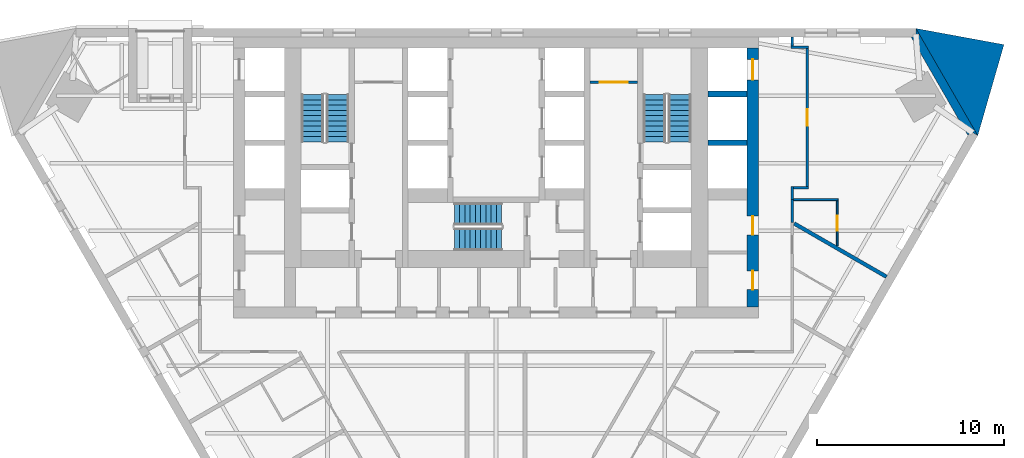
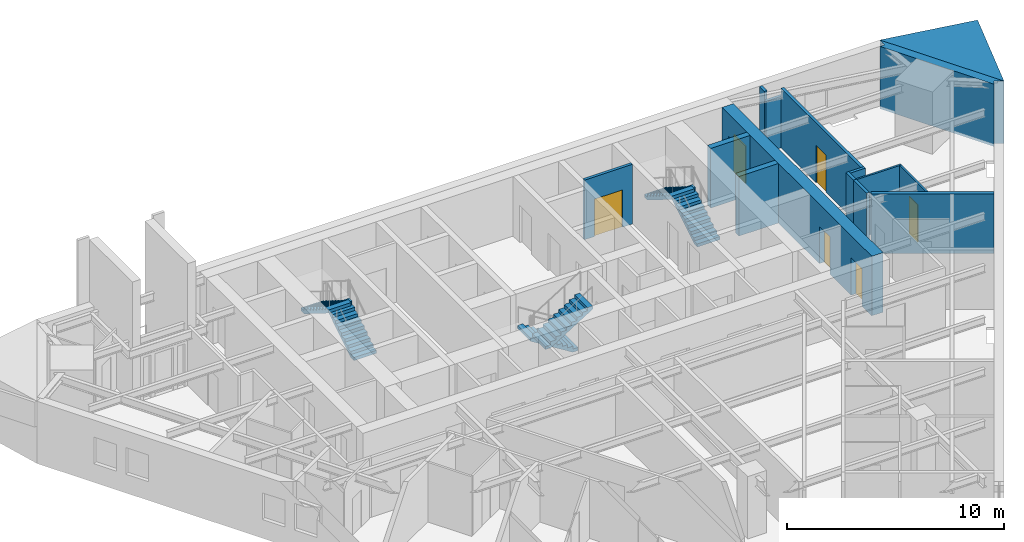
# One storey, part 8 of 10: 15 walls, 6 doors, 6 stair flights, 6 openings, 3 elements without a shape of their own.
"""IFC4 building model written with IfcOpenShell, lengths in metres."""

from ifc_helpers import new_model, si_unit, direction, frame, frame_2d, origin, place, context, subcontext, project, spatial, polyline, rectangle, outline, extrude, material, layer, layer_set, type_object, element, fill, aggregate, save


model = new_model("IFC4")

# Units and contexts
model_context = context("Model", 3, precision=1e-05, world=origin(), true_north=direction((0.0, 1.0)))
body_context = subcontext(model_context, "Body", "Model", "MODEL_VIEW")
ifc_project = project(units=[si_unit("LENGTHUNIT", "METRE"), si_unit("AREAUNIT", "SQUARE_METRE"), si_unit("VOLUMEUNIT", "CUBIC_METRE"), si_unit("PLANEANGLEUNIT", "RADIAN"), si_unit("MASSUNIT", "GRAM", prefix="KILO")], contexts=[model_context])

# Site, building, storey
site_placement = place(None, origin())
site = spatial("IfcSite", under=ifc_project, at=site_placement, CompositionType="ELEMENT")
building_placement = place(site_placement, origin())
building = spatial("IfcBuilding", under=site, at=building_placement, Name="Aloe Facet Convention Tower", CompositionType="ELEMENT")
storey_placement = place(building_placement, frame((0.0, 0.0, 45.5)))
storey = spatial("IfcBuildingStorey", under=building, at=storey_placement, Name="L09", CompositionType="ELEMENT", Elevation=45.5)

# Wall, opening, door
ifc_material_1 = material(Name="Concrete blockwork partition", Category="masonry")
ifc_layer_1 = layer(ifc_material_1, 0.14990234375)
ifc_layer_set_1 = layer_set([ifc_layer_1], Name="CR-W-PART150")
wall_type_1 = type_object("IfcWallType", Name="CR-W-PART150", PredefinedType="PARTITIONING", material=ifc_layer_set_1)
wall_1_placement = place(storey_placement, frame((85.0, 132.125, 0.0), z_axis=(0.0, 0.0, 1.0), x_axis=(1.0, 0.0, 0.0)))
wall_1 = element("IfcWall", 1, at=wall_1_placement, inside=storey, type_object=wall_type_1, Name="Core partition L09-038", PredefinedType="PARTITIONING", context=body_context, shape_type="SweptSolid", body=[
    extrude(rectangle(XDim=2.550048828125, YDim=0.14990234375, at=frame_2d((1.27490234375, 0.0))), origin(), (0.0, 0.0, 1.0), 3.35009765625),
])
opening_1_placement = place(wall_1_placement, frame((0.52490234375, 0.0, 0.0)))
opening_1 = element("IfcOpeningElement", 2, at=opening_1_placement, cuts=wall_1, Name="Opening L09-CD20", PredefinedType="OPENING", context=body_context, shape_type="SweptSolid", body=[
    extrude(rectangle(XDim=1.5, YDim=2.10009765625, at=frame_2d((0.75, 1.050048828125))), frame((0.0, 0.0849609375, 0.0), z_axis=(0.0, -1.0, 0.0), x_axis=(1.0, 0.0, 0.0)), (0.0, 0.0, 1.0), 0.169921875),
])
ifc_material_2 = material(Name="Steel fire-resisting door set FD60", Category="steel")
door_type_1 = type_object("IfcDoorType", Name="CR-D-REFUGE-1500-FD60-DD", OperationType="DOUBLE_DOOR_DOUBLE_SWING", PredefinedType="DOOR", material=ifc_material_2)
door_1_placement = place(opening_1_placement, origin())
door_1 = element("IfcDoor", 3, at=door_1_placement, inside=storey, type_object=door_type_1, Name="Core door L09-CD20", OperationType="DOUBLE_DOOR_DOUBLE_SWING", OverallHeight=2.10009765625, OverallWidth=1.5, PredefinedType="DOOR", context=body_context, shape_type="SweptSolid", body=[
    extrude(rectangle(XDim=1.5, YDim=2.10009765625, at=frame_2d((0.75, 1.050048828125))), frame((0.0, 0.02490234375, 0.0), z_axis=(0.0, -1.0, 0.0), x_axis=(1.0, 0.0, 0.0)), (0.0, 0.0, 1.0), 0.050048828125),
])
fill(opening_1, door_1)

# Walls
ifc_material_3 = material(Name="Concrete C80/95", Category="concrete")
ifc_layer_2 = layer(ifc_material_3, 0.300048828125)
ifc_layer_set_2 = layer_set([ifc_layer_2], Name="CR-W-RC300-C8095")
wall_type_2 = type_object("IfcWallType", Name="CR-W-RC300-C8095", PredefinedType="SOLIDWALL", material=ifc_layer_set_2)
for number, where, z_axis, x_axis, name in (
    (4, (91.300048828125, 131.5, 0.0), (0.0, 0.0, 1.0), (1.0, 0.0, 0.0), "Core wall L09-048"),
    (5, (91.300048828125, 128.89990234375, 0.0), (0.0, 0.0, 1.0), (1.0, 0.0, 0.0), "Core wall L09-049"),
):
    element("IfcWall", number, at=place(storey_placement, frame(where, z_axis=z_axis, x_axis=x_axis)), inside=storey, type_object=wall_type_2, Name=name, PredefinedType="SOLIDWALL", context=body_context, shape_type="SweptSolid", body=[
        extrude(rectangle(XDim=2.099853515625, YDim=0.300048828125, at=frame_2d((1.0498046875, 0.0))), origin(), (0.0, 0.0, 1.0), 3.35009765625),
    ])

# Wall, openings, doors
ifc_material_4 = material(Name="Concrete C80/95", Category="concrete")
ifc_layer_3 = layer(ifc_material_4, 0.60009765625)
ifc_layer_set_3 = layer_set([ifc_layer_3], Name="CR-W-RC600-C8095")
wall_type_3 = type_object("IfcWallType", Name="CR-W-RC600-C8095", PredefinedType="SOLIDWALL", material=ifc_layer_set_3)
wall_2_placement = place(storey_placement, frame((93.699951171875, 133.949951171875, 0.0), z_axis=(0.0, 0.0, 1.0), x_axis=(0.0, -1.0, 0.0)))
wall_2 = element("IfcWall", 6, at=wall_2_placement, inside=storey, type_object=wall_type_3, Name="Core wall L09-052", PredefinedType="SOLIDWALL", context=body_context, shape_type="SweptSolid", body=[
    extrude(rectangle(XDim=13.800048828125, YDim=0.60009765625, at=frame_2d((6.89990234375, 0.0))), origin(), (0.0, 0.0, 1.0), 3.35009765625),
])
opening_2_placement = place(wall_2_placement, frame((0.60009765625, 0.0, 0.0)))
opening_2 = element("IfcOpeningElement", 7, at=opening_2_placement, cuts=wall_2, Name="Opening LD-A8-L09", PredefinedType="OPENING", context=body_context, shape_type="SweptSolid", body=[
    extrude(rectangle(XDim=1.10009765625, YDim=2.10009765625, at=frame_2d((0.550048828125, 1.050048828125))), frame((0.0, 0.31005859375, 0.0), z_axis=(0.0, -1.0, 0.0), x_axis=(1.0, 0.0, 0.0)), (0.0, 0.0, 1.0), 0.6201171875),
])
opening_3_placement = place(wall_2_placement, frame((8.963134765625, 0.0, 0.0)))
opening_3 = element("IfcOpeningElement", 8, at=opening_3_placement, cuts=wall_2, Name="Opening L09-CD09", PredefinedType="OPENING", context=body_context, shape_type="SweptSolid", body=[
    extrude(rectangle(XDim=1.0, YDim=2.10009765625, at=frame_2d((0.5, 1.050048828125))), frame((0.0, 0.31005859375, 0.0), z_axis=(0.0, -1.0, 0.0), x_axis=(1.0, 0.0, 0.0)), (0.0, 0.0, 1.0), 0.6201171875),
])
opening_4_placement = place(wall_2_placement, frame((11.88818359375, 0.0, 0.0)))
opening_4 = element("IfcOpeningElement", 9, at=opening_4_placement, cuts=wall_2, Name="Opening L09-CD10", PredefinedType="OPENING", context=body_context, shape_type="SweptSolid", body=[
    extrude(rectangle(XDim=1.0, YDim=2.10009765625, at=frame_2d((0.5, 1.050048828125))), frame((0.0, 0.31005859375, 0.0), z_axis=(0.0, -1.0, 0.0), x_axis=(1.0, 0.0, 0.0)), (0.0, 0.0, 1.0), 0.6201171875),
])
ifc_material_5 = material(Name="Steel fire-resisting door set FD60", Category="steel")
door_type_2 = type_object("IfcDoorType", Name="CR-D-ROOM-1000-FD60-SLEFT", OperationType="SINGLE_SWING_LEFT", PredefinedType="DOOR", material=ifc_material_5)
door_2_placement = place(opening_3_placement, origin())
door_2 = element("IfcDoor", 10, at=door_2_placement, inside=storey, type_object=door_type_2, Name="Core door L09-CD09", OperationType="SINGLE_SWING_LEFT", OverallHeight=2.10009765625, OverallWidth=1.0, PredefinedType="DOOR", context=body_context, shape_type="SweptSolid", body=[
    extrude(rectangle(XDim=1.0, YDim=2.10009765625, at=frame_2d((0.5, 1.050048828125))), frame((0.0, 0.02490234375, 0.0), z_axis=(0.0, -1.0, 0.0), x_axis=(1.0, 0.0, 0.0)), (0.0, 0.0, 1.0), 0.050048828125),
])
fill(opening_3, door_2)
door_3_placement = place(opening_4_placement, origin())
door_3 = element("IfcDoor", 11, at=door_3_placement, inside=storey, type_object=door_type_2, Name="Core door L09-CD10", OperationType="SINGLE_SWING_LEFT", OverallHeight=2.10009765625, OverallWidth=1.0, PredefinedType="DOOR", context=body_context, shape_type="SweptSolid", body=[
    extrude(rectangle(XDim=1.0, YDim=2.10009765625, at=frame_2d((0.5, 1.050048828125))), frame((0.0, 0.02490234375, 0.0), z_axis=(0.0, -1.0, 0.0), x_axis=(1.0, 0.0, 0.0)), (0.0, 0.0, 1.0), 0.050048828125),
])
fill(opening_4, door_3)
ifc_material_6 = material(Name="Stainless steel sliding landing door", Category="steel")
door_type_3 = type_object("IfcDoorType", Name="CR-LD-1100-FD60-_LEFT", OperationType="SLIDING_TO_LEFT", PredefinedType="DOOR", material=ifc_material_6)
door_4_placement = place(opening_2_placement, origin())
door_4 = element("IfcDoor", 12, at=door_4_placement, inside=storey, type_object=door_type_3, Name="Landing door A8 L09", OperationType="SLIDING_TO_LEFT", OverallHeight=2.10009765625, OverallWidth=1.10009765625, PredefinedType="DOOR", context=body_context, shape_type="SweptSolid", body=[
    extrude(rectangle(XDim=1.10009765625, YDim=2.10009765625, at=frame_2d((0.550048828125, 1.050048828125))), frame((0.0, 0.02490234375, 0.0), z_axis=(0.0, -1.0, 0.0), x_axis=(1.0, 0.0, 0.0)), (0.0, 0.0, 1.0), 0.050048828125),
])
fill(opening_2, door_4)

# Walls
ifc_material_7 = material(Name="Precast concrete C40/50", Category="concrete")
ifc_layer_4 = layer(ifc_material_7, 0.449951171875)
ifc_layer_set_4 = layer_set([ifc_layer_4], Name="EV-WALL-PIER")
wall_type_4 = type_object("IfcWallType", Name="EV-WALL-PIER", PredefinedType="SOLIDWALL", material=ifc_layer_set_4)
wall_3_placement = place(storey_placement, frame((0.0, 0.0, -0.14990234375)))
element("IfcWall", 13, at=wall_3_placement, inside=storey, type_object=wall_type_4, Name="EP-L09-C", PredefinedType="SOLIDWALL", context=body_context, shape_type="SweptSolid", body=[
    extrude(outline(polyline([(105.699951171875, 129.2841796875), (105.310302734375, 129.50927734375), (105.180419921875, 129.2841796875), (102.14013671875, 134.550048828125), (102.39990234375, 134.550048828125), (102.39990234375, 135.0), (105.699951171875, 129.2841796875)])), origin(), (0.0, 0.0, 1.0), 3.5),
])
ifc_material_8 = material(Name="Precast concrete C40/50", Category="concrete")
ifc_layer_5 = layer(ifc_material_8, 3.947998046875)
ifc_layer_set_5 = layer_set([ifc_layer_5], Name="EV-WALL-SPINE")
wall_type_5 = type_object("IfcWallType", Name="EV-WALL-SPINE", PredefinedType="SOLIDWALL", material=ifc_layer_set_5)
wall_4_placement = place(storey_placement, frame((0.0, 0.0, -0.14990234375)))
element("IfcWall", 14, at=wall_4_placement, inside=storey, type_object=wall_type_5, Name="SP-NE-L09", PredefinedType="SOLIDWALL", context=body_context, shape_type="SweptSolid", body=[
    extrude(outline(polyline([(105.699951171875, 129.2841796875), (107.099609375, 134.137451171875), (102.39990234375, 135.0), (105.699951171875, 129.2841796875)])), origin(), (0.0, 0.0, 1.0), 3.5),
])
ifc_material_9 = material(Name="Gypsum board partition on steel studs", Category="steel")
ifc_layer_6 = layer(ifc_material_9, 0.14990234375)
ifc_layer_set_6 = layer_set([ifc_layer_6], Name="IN-W-CORR")
wall_type_6 = type_object("IfcWallType", Name="IN-W-CORR", PredefinedType="PARTITIONING", material=ifc_layer_set_6)
wall_5_placement = place(storey_placement, frame((95.800048828125, 124.65380859375, 0.0), z_axis=(0.0, 0.0, 1.0), x_axis=(0.0, 1.0, 0.0)))
element("IfcWall", 15, at=wall_5_placement, inside=storey, type_object=wall_type_6, Name="Partition L09-W093", PredefinedType="PARTITIONING", context=body_context, shape_type="SweptSolid", body=[
    extrude(rectangle(XDim=1.21435546875, YDim=0.14990234375, at=frame_2d((0.607177734375, 0.0))), origin(), (0.0, 0.0, 1.0), 3.35009765625),
])
wall_6_placement = place(storey_placement, frame((95.800048828125, 125.8681640625, 0.0), z_axis=(0.0, 0.0, 1.0), x_axis=(0.0, 1.0, 0.0)))
element("IfcWall", 16, at=wall_6_placement, inside=storey, type_object=wall_type_6, Name="Partition L09-W098", PredefinedType="PARTITIONING", context=body_context, shape_type="SweptSolid", body=[
    extrude(rectangle(XDim=0.706787109375, YDim=0.14990234375, at=frame_2d((0.353515625, 0.0))), origin(), (0.0, 0.0, 1.0), 3.35009765625),
])
wall_7_placement = place(storey_placement, frame((95.875, 126.5, 0.0), z_axis=(0.0, 0.0, 1.0), x_axis=(1.0, 0.0, 0.0)))
element("IfcWall", 17, at=wall_7_placement, inside=storey, type_object=wall_type_6, Name="Partition L09-W099", PredefinedType="PARTITIONING", context=body_context, shape_type="SweptSolid", body=[
    extrude(rectangle(XDim=0.800048828125, YDim=0.14990234375, at=frame_2d((0.39990234375, 0.0))), origin(), (0.0, 0.0, 1.0), 3.35009765625),
])
wall_8_placement = place(storey_placement, frame((95.72509765625, 134.0, 0.0), z_axis=(0.0, 0.0, 1.0), x_axis=(1.0, 0.0, 0.0)))
element("IfcWall", 18, at=wall_8_placement, inside=storey, type_object=wall_type_6, Name="Partition L09-W102", PredefinedType="PARTITIONING", context=body_context, shape_type="SweptSolid", body=[
    extrude(rectangle(XDim=0.949462890625, YDim=0.14990234375, at=frame_2d((0.474609375, 0.0))), origin(), (0.0, 0.0, 1.0), 2.88671875),
])

# Wall, opening, door
wall_9_placement = place(storey_placement, frame((96.599609375, 133.925048828125, 0.0), z_axis=(0.0, 0.0, 1.0), x_axis=(6.643194e-05, -0.999999997793, 0.0)))
wall_9 = element("IfcWall", 19, at=wall_9_placement, inside=storey, type_object=wall_type_6, Name="Partition L09-W103", PredefinedType="PARTITIONING", context=body_context, shape_type="SweptSolid", body=[
    extrude(rectangle(XDim=7.35009765625, YDim=0.14990234375, at=frame_2d((3.675048828125, 0.0))), origin(), (0.0, 0.0, 1.0), 3.35009765625),
])
opening_5_placement = place(wall_9_placement, frame((3.22509765625, 0.0, 0.0)))
opening_5 = element("IfcOpeningElement", 20, at=opening_5_placement, cuts=wall_9, Name="Opening L09-001", PredefinedType="OPENING", context=body_context, shape_type="SweptSolid", body=[
    extrude(rectangle(XDim=0.89990234375, YDim=2.10009765625, at=frame_2d((0.449951171875, 1.050048828125))), frame((0.0, 0.0849609375, 0.0), z_axis=(0.0, -1.0, 0.0), x_axis=(1.0, 0.0, 0.0)), (0.0, 0.0, 1.0), 0.169921875),
])
ifc_material_10 = material(Name="Hardwood flush door FD30S", Category="wood")
door_type_4 = type_object("IfcDoorType", Name="IN-D-GUEST", OperationType="SINGLE_SWING_LEFT", PredefinedType="DOOR", material=ifc_material_10)
door_5_placement = place(opening_5_placement, origin())
door_5 = element("IfcDoor", 21, at=door_5_placement, inside=storey, type_object=door_type_4, Name="Door L09-001", OperationType="SINGLE_SWING_LEFT", OverallHeight=2.10009765625, OverallWidth=0.89990234375, PredefinedType="DOOR", context=body_context, shape_type="SweptSolid", body=[
    extrude(rectangle(XDim=0.89990234375, YDim=2.10009765625, at=frame_2d((0.449951171875, 1.050048828125))), frame((0.0, 0.02490234375, 0.0), z_axis=(0.0, -1.0, 0.0), x_axis=(1.0, 0.0, 0.0)), (0.0, 0.0, 1.0), 0.050048828125),
])
fill(opening_5, door_5)

# Walls
wall_10_placement = place(storey_placement, frame((95.800048828125, 134.074951171875, 0.0), z_axis=(0.0, 0.0, 1.0), x_axis=(0.0, 1.0, 0.0)))
element("IfcWall", 22, at=wall_10_placement, inside=storey, type_object=wall_type_6, Name="Partition L09-W104", PredefinedType="PARTITIONING", context=body_context, shape_type="SweptSolid", body=[
    extrude(rectangle(XDim=0.465087890625, YDim=0.14990234375, at=frame_2d((0.232421875, 0.0))), origin(), (0.0, 0.0, 1.0), 3.35009765625),
])
ifc_material_11 = material(Name="Gypsum board partition on steel studs", Category="steel")
ifc_layer_7 = layer(ifc_material_11, 0.10009765625)
ifc_layer_set_7 = layer_set([ifc_layer_7], Name="IN-W-PART")
wall_type_7 = type_object("IfcWallType", Name="IN-W-PART", PredefinedType="PARTITIONING", material=ifc_layer_set_7)
wall_11_placement = place(storey_placement, frame((95.875, 125.8681640625, 0.0), z_axis=(0.0, 0.0, 1.0), x_axis=(1.0, 0.0, 0.0)))
element("IfcWall", 23, at=wall_11_placement, inside=storey, type_object=wall_type_7, Name="Partition L09-W094", PredefinedType="PARTITIONING", context=body_context, shape_type="SweptSolid", body=[
    extrude(rectangle(XDim=2.375, YDim=0.10009765625, at=frame_2d((1.1875, 0.0))), origin(), (0.0, 0.0, 1.0), 3.35009765625),
])

# Wall, opening, door
wall_12_placement = place(storey_placement, frame((98.199951171875, 123.398193359375, 0.0), z_axis=(0.0, 0.0, 1.0), x_axis=(0.0, 1.0, 0.0)))
wall_12 = element("IfcWall", 24, at=wall_12_placement, inside=storey, type_object=wall_type_7, Name="Partition L09-W095", PredefinedType="PARTITIONING", context=body_context, shape_type="SweptSolid", body=[
    extrude(rectangle(XDim=2.420166015625, YDim=0.10009765625, at=frame_2d((1.2099609375, 0.0))), origin(), (0.0, 0.0, 1.0), 3.35009765625),
])
opening_6_placement = place(wall_12_placement, frame((0.81005859375, 0.0, 0.0)))
opening_6 = element("IfcOpeningElement", 25, at=opening_6_placement, cuts=wall_12, Name="Opening L09-016", PredefinedType="OPENING", context=body_context, shape_type="SweptSolid", body=[
    extrude(rectangle(XDim=0.800048828125, YDim=2.10009765625, at=frame_2d((0.39990234375, 1.050048828125))), frame((0.0, 0.06005859375, 0.0), z_axis=(0.0, -1.0, 0.0), x_axis=(1.0, 0.0, 0.0)), (0.0, 0.0, 1.0), 0.1201171875),
])
ifc_material_12 = material(Name="Timber flush door", Category="wood")
door_type_5 = type_object("IfcDoorType", Name="IN-D-BATH", OperationType="SINGLE_SWING_LEFT", PredefinedType="DOOR", material=ifc_material_12)
door_6_placement = place(opening_6_placement, origin())
door_6 = element("IfcDoor", 26, at=door_6_placement, inside=storey, type_object=door_type_5, Name="Door L09-016", OperationType="SINGLE_SWING_LEFT", OverallHeight=2.10009765625, OverallWidth=0.800048828125, PredefinedType="DOOR", context=body_context, shape_type="SweptSolid", body=[
    extrude(rectangle(XDim=0.800048828125, YDim=2.10009765625, at=frame_2d((0.39990234375, 1.050048828125))), frame((0.0, 0.02490234375, 0.0), z_axis=(0.0, -1.0, 0.0), x_axis=(1.0, 0.0, 0.0)), (0.0, 0.0, 1.0), 0.050048828125),
])
fill(opening_6, door_6)

# Wall
ifc_material_13 = material(Name="Gypsum board partition on steel studs", Category="steel")
ifc_layer_8 = layer(ifc_material_13, 0.199951171875)
ifc_layer_set_8 = layer_set([ifc_layer_8], Name="IN-W-PARTY")
wall_type_8 = type_object("IfcWallType", Name="IN-W-PARTY", PredefinedType="PARTITIONING", material=ifc_layer_set_8)
wall_13_placement = place(storey_placement, frame((95.908203125, 124.59130859375, 0.0), z_axis=(0.0, 0.0, 1.0), x_axis=(0.866043237112, -0.499969110498, 0.0)))
element("IfcWall", 27, at=wall_13_placement, inside=storey, type_object=wall_type_8, Name="Partition L09-W091", PredefinedType="PARTITIONING", context=body_context, shape_type="SweptSolid", body=[
    extrude(rectangle(XDim=5.683349609375, YDim=0.199951171875, at=frame_2d((2.841796875, 0.0))), origin(), (0.0, 0.0, 1.0), 3.35009765625),
])

# Stair, stair flights
ifc_material_14 = material(Name="Concrete C50/60", Category="concrete")
stair_type = type_object("IfcStairType", Name="CR-ST-20R", PredefinedType="HALF_TURN_STAIR", material=ifc_material_14)
stair_1_placement = place(storey_placement, origin())
stair_1 = element("IfcStair", 28, at=stair_1_placement, inside=storey, type_object=stair_type, Name="L09 Protected exit stair ST1", PredefinedType="HALF_TURN_STAIR")
ifc_material_15 = material(Name="Concrete C50/60", Category="concrete")
stair_flight_type = type_object("IfcStairFlightType", Name="CR-SFL-20R", PredefinedType="STRAIGHT", material=ifc_material_15)
stair_flight_1_placement = place(storey_placement, frame((71.550048828125, 128.949951171875, 0.0), z_axis=(0.0, 0.0, 1.0), x_axis=(0.0, 1.0, 0.0)))
stair_flight_1 = element("IfcStairFlight", 29, at=stair_flight_1_placement, type_object=stair_flight_type, Name="ST1 flight 1", NumberOfRisers=10, NumberOfTreads=9, PredefinedType="STRAIGHT", RiserHeight=0.175, TreadLength=0.28, context=body_context, shape_type="SweptSolid", body=[
    extrude(outline(polyline([(0.0, 0.0), (0.0, 0.175048828125), (0.280029296875, 0.175048828125), (0.280029296875, 0.35009765625), (0.56005859375, 0.35009765625), (0.56005859375, 0.52490234375), (0.840087890625, 0.52490234375), (0.840087890625, 0.699951171875), (1.1201171875, 0.699951171875), (1.1201171875, 0.875), (1.39990234375, 0.875), (1.39990234375, 1.050048828125), (1.679931640625, 1.050048828125), (1.679931640625, 1.22509765625), (1.9599609375, 1.22509765625), (1.9599609375, 1.39990234375), (2.239990234375, 1.39990234375), (2.239990234375, 1.574951171875), (2.52001953125, 1.574951171875), (2.52001953125, 1.75), (2.52001953125, 1.398193359375), (0.28271484375, 0.0), (0.0, 0.0)])), frame((0.0, 0.60009765625, 0.0), z_axis=(0.0, -1.0, 0.0), x_axis=(1.0, 0.0, 0.0)), (0.0, 0.0, 1.0), 1.199951171875),
])
stair_flight_2_placement = place(storey_placement, frame((70.199951171875, 131.469970703125, 1.75), z_axis=(0.0, 0.0, 1.0), x_axis=(0.0, -1.0, 0.0)))
stair_flight_2 = element("IfcStairFlight", 30, at=stair_flight_2_placement, type_object=stair_flight_type, Name="ST1 flight 2", NumberOfRisers=10, NumberOfTreads=9, PredefinedType="STRAIGHT", RiserHeight=0.175, TreadLength=0.28, context=body_context, shape_type="SweptSolid", body=[
    extrude(outline(polyline([(0.0, 0.0), (0.0, 0.175048828125), (0.280029296875, 0.175048828125), (0.280029296875, 0.35009765625), (0.56005859375, 0.35009765625), (0.56005859375, 0.52490234375), (0.840087890625, 0.52490234375), (0.840087890625, 0.699951171875), (1.1201171875, 0.699951171875), (1.1201171875, 0.875), (1.39990234375, 0.875), (1.39990234375, 1.050048828125), (1.679931640625, 1.050048828125), (1.679931640625, 1.22509765625), (1.9599609375, 1.22509765625), (1.9599609375, 1.39990234375), (2.239990234375, 1.39990234375), (2.239990234375, 1.574951171875), (2.52001953125, 1.574951171875), (2.52001953125, 1.75), (2.52001953125, 1.398193359375), (0.28271484375, 0.0), (0.0, 0.0)])), frame((0.0, 0.60009765625, 0.0), z_axis=(0.0, -1.0, 0.0), x_axis=(1.0, 0.0, 0.0)), (0.0, 0.0, 1.0), 1.199951171875),
])
aggregate(stair_1, [stair_flight_1, stair_flight_2])

stair_2_placement = place(storey_placement, origin())
stair_2 = element("IfcStair", 31, at=stair_2_placement, inside=storey, type_object=stair_type, Name="L09 Protected exit stair ST2", PredefinedType="HALF_TURN_STAIR")
stair_flight_3_placement = place(storey_placement, frame((89.800048828125, 128.949951171875, 0.0), z_axis=(0.0, 0.0, 1.0), x_axis=(0.0, 1.0, 0.0)))
stair_flight_3 = element("IfcStairFlight", 32, at=stair_flight_3_placement, type_object=stair_flight_type, Name="ST2 flight 1", NumberOfRisers=10, NumberOfTreads=9, PredefinedType="STRAIGHT", RiserHeight=0.175, TreadLength=0.28, context=body_context, shape_type="SweptSolid", body=[
    extrude(outline(polyline([(0.0, 0.0), (0.0, 0.175048828125), (0.280029296875, 0.175048828125), (0.280029296875, 0.35009765625), (0.56005859375, 0.35009765625), (0.56005859375, 0.52490234375), (0.840087890625, 0.52490234375), (0.840087890625, 0.699951171875), (1.1201171875, 0.699951171875), (1.1201171875, 0.875), (1.39990234375, 0.875), (1.39990234375, 1.050048828125), (1.679931640625, 1.050048828125), (1.679931640625, 1.22509765625), (1.9599609375, 1.22509765625), (1.9599609375, 1.39990234375), (2.239990234375, 1.39990234375), (2.239990234375, 1.574951171875), (2.52001953125, 1.574951171875), (2.52001953125, 1.75), (2.52001953125, 1.398193359375), (0.28271484375, 0.0), (0.0, 0.0)])), frame((0.0, 0.60009765625, 0.0), z_axis=(0.0, -1.0, 0.0), x_axis=(1.0, 0.0, 0.0)), (0.0, 0.0, 1.0), 1.199951171875),
])
stair_flight_4_placement = place(storey_placement, frame((88.449951171875, 131.469970703125, 1.75), z_axis=(0.0, 0.0, 1.0), x_axis=(0.0, -1.0, 0.0)))
stair_flight_4 = element("IfcStairFlight", 33, at=stair_flight_4_placement, type_object=stair_flight_type, Name="ST2 flight 2", NumberOfRisers=10, NumberOfTreads=9, PredefinedType="STRAIGHT", RiserHeight=0.175, TreadLength=0.28, context=body_context, shape_type="SweptSolid", body=[
    extrude(outline(polyline([(0.0, 0.0), (0.0, 0.175048828125), (0.280029296875, 0.175048828125), (0.280029296875, 0.35009765625), (0.56005859375, 0.35009765625), (0.56005859375, 0.52490234375), (0.840087890625, 0.52490234375), (0.840087890625, 0.699951171875), (1.1201171875, 0.699951171875), (1.1201171875, 0.875), (1.39990234375, 0.875), (1.39990234375, 1.050048828125), (1.679931640625, 1.050048828125), (1.679931640625, 1.22509765625), (1.9599609375, 1.22509765625), (1.9599609375, 1.39990234375), (2.239990234375, 1.39990234375), (2.239990234375, 1.574951171875), (2.52001953125, 1.574951171875), (2.52001953125, 1.75), (2.52001953125, 1.398193359375), (0.28271484375, 0.0), (0.0, 0.0)])), frame((0.0, 0.60009765625, 0.0), z_axis=(0.0, -1.0, 0.0), x_axis=(1.0, 0.0, 0.0)), (0.0, 0.0, 1.0), 1.199951171875),
])
aggregate(stair_2, [stair_flight_3, stair_flight_4])

stair_3_placement = place(storey_placement, origin())
stair_3 = element("IfcStair", 34, at=stair_3_placement, inside=storey, type_object=stair_type, Name="L09 Protected exit stair ST3", PredefinedType="HALF_TURN_STAIR")
stair_flight_5_placement = place(storey_placement, frame((80.300048828125, 125.10009765625, 0.0), z_axis=(0.0, 0.0, 1.0), x_axis=(-1.0, 0.0, 0.0)))
stair_flight_5 = element("IfcStairFlight", 35, at=stair_flight_5_placement, type_object=stair_flight_type, Name="ST3 flight 1", NumberOfRisers=10, NumberOfTreads=9, PredefinedType="STRAIGHT", RiserHeight=0.175, TreadLength=0.28, context=body_context, shape_type="SweptSolid", body=[
    extrude(outline(polyline([(0.0, 0.0), (0.0, 0.175048828125), (0.280029296875, 0.175048828125), (0.280029296875, 0.35009765625), (0.56005859375, 0.35009765625), (0.56005859375, 0.52490234375), (0.840087890625, 0.52490234375), (0.840087890625, 0.699951171875), (1.1201171875, 0.699951171875), (1.1201171875, 0.875), (1.39990234375, 0.875), (1.39990234375, 1.050048828125), (1.679931640625, 1.050048828125), (1.679931640625, 1.22509765625), (1.9599609375, 1.22509765625), (1.9599609375, 1.39990234375), (2.239990234375, 1.39990234375), (2.239990234375, 1.574951171875), (2.52001953125, 1.574951171875), (2.52001953125, 1.75), (2.52001953125, 1.398193359375), (0.28271484375, 0.0), (0.0, 0.0)])), frame((0.0, 0.60009765625, 0.0), z_axis=(0.0, -1.0, 0.0), x_axis=(1.0, 0.0, 0.0)), (0.0, 0.0, 1.0), 1.199951171875),
])
stair_flight_6_placement = place(storey_placement, frame((77.780029296875, 123.75, 1.75), z_axis=(0.0, 0.0, 1.0), x_axis=(1.0, 0.0, 0.0)))
stair_flight_6 = element("IfcStairFlight", 36, at=stair_flight_6_placement, type_object=stair_flight_type, Name="ST3 flight 2", NumberOfRisers=10, NumberOfTreads=9, PredefinedType="STRAIGHT", RiserHeight=0.175, TreadLength=0.28, context=body_context, shape_type="SweptSolid", body=[
    extrude(outline(polyline([(0.0, 0.0), (0.0, 0.175048828125), (0.280029296875, 0.175048828125), (0.280029296875, 0.35009765625), (0.56005859375, 0.35009765625), (0.56005859375, 0.52490234375), (0.840087890625, 0.52490234375), (0.840087890625, 0.699951171875), (1.1201171875, 0.699951171875), (1.1201171875, 0.875), (1.39990234375, 0.875), (1.39990234375, 1.050048828125), (1.679931640625, 1.050048828125), (1.679931640625, 1.22509765625), (1.9599609375, 1.22509765625), (1.9599609375, 1.39990234375), (2.239990234375, 1.39990234375), (2.239990234375, 1.574951171875), (2.52001953125, 1.574951171875), (2.52001953125, 1.75), (2.52001953125, 1.398193359375), (0.28271484375, 0.0), (0.0, 0.0)])), frame((0.0, 0.60009765625, 0.0), z_axis=(0.0, -1.0, 0.0), x_axis=(1.0, 0.0, 0.0)), (0.0, 0.0, 1.0), 1.199951171875),
])
aggregate(stair_3, [stair_flight_5, stair_flight_6])

save(model, "model.ifc")
